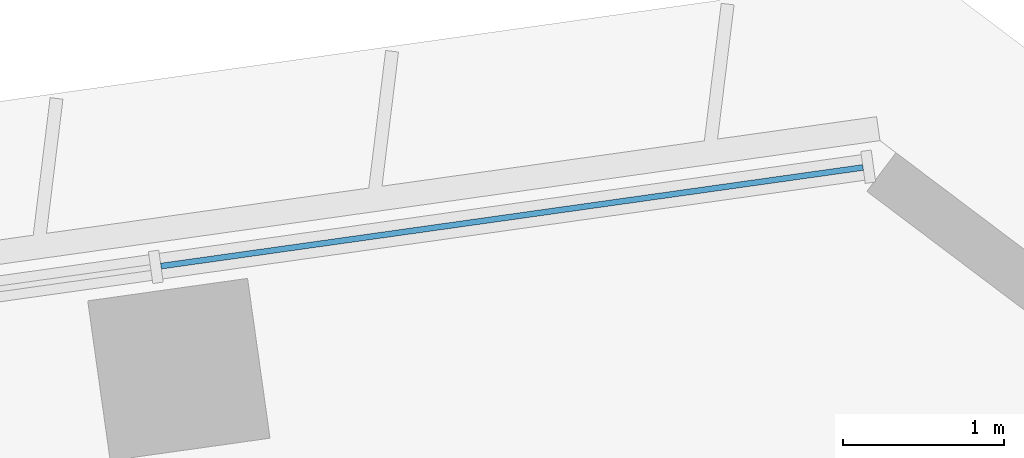
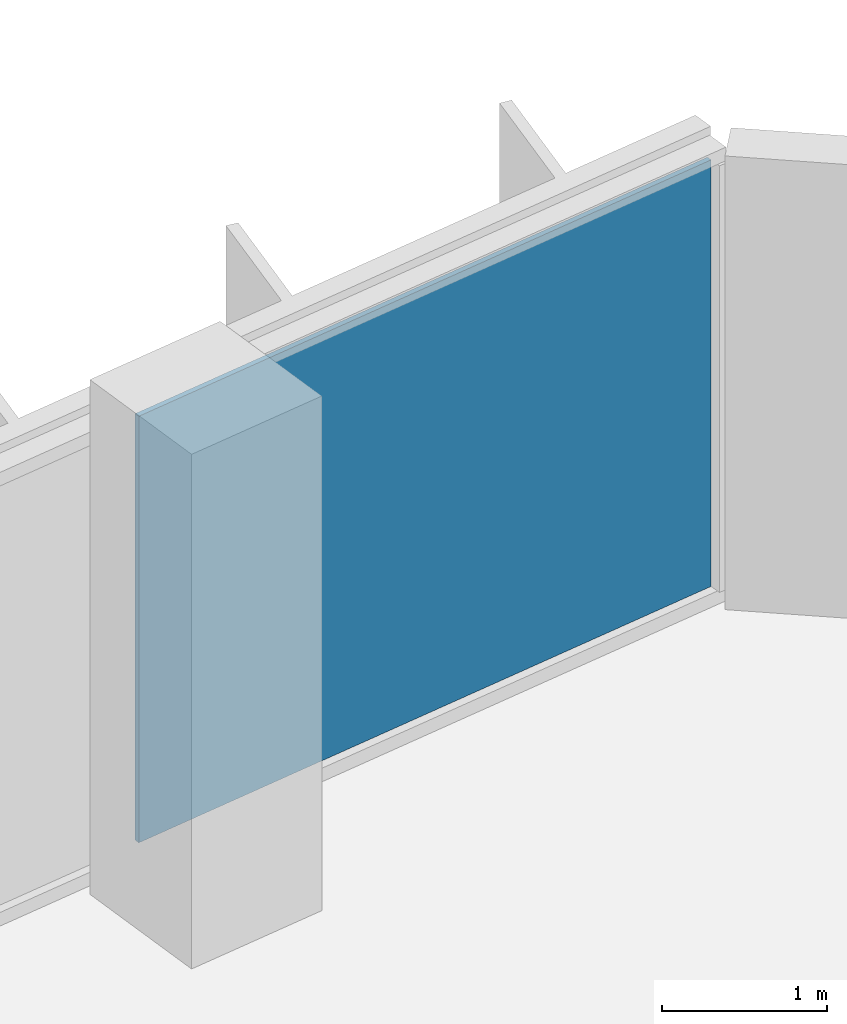
# One storey, part 13 of 25: 1 plate, 1 element without a shape of its own.
"""IFC4 building model written with IfcOpenShell, lengths in metres."""

from ifc_helpers import new_model, si_unit, direction, frame, origin, origin_2d, place, context, subcontext, project, spatial, rectangle, extrude, material, layer, layer_set, type_object, element, aggregate, save


model = new_model("IFC4")

# Units and contexts
model_context = context("Model", 3, precision=1e-05, world=origin(), true_north=direction((0.0, 1.0)))
body_context = subcontext(model_context, "Body", "Model", "MODEL_VIEW")
ifc_project = project(units=[si_unit("LENGTHUNIT", "METRE"), si_unit("AREAUNIT", "SQUARE_METRE"), si_unit("VOLUMEUNIT", "CUBIC_METRE"), si_unit("PLANEANGLEUNIT", "RADIAN"), si_unit("MASSUNIT", "GRAM", prefix="KILO")], contexts=[model_context])

# Site, building, storey
site_placement = place(None, origin())
site = spatial("IfcSite", under=ifc_project, at=site_placement, CompositionType="ELEMENT")
building_placement = place(site_placement, origin())
building = spatial("IfcBuilding", under=site, at=building_placement, Name="Mirante Cascada Hotel Towers", CompositionType="ELEMENT")
storey_placement = place(building_placement, frame((0.0, 0.0, 62.3)))
storey = spatial("IfcBuildingStorey", under=building, at=storey_placement, Name="L12", CompositionType="ELEMENT", Elevation=62.3)

# Curtain wall, plate
ifc_material_1 = material(Name="Aluminium mullion and transom frame with clear laminated glass", Category="aluminium")
curtain_wall_type = type_object("IfcCurtainWallType", Name="Ribbon curtain wall ECW1", PredefinedType="NOTDEFINED", material=ifc_material_1)
curtain_wall_placement = place(storey_placement, origin())
curtain_wall = element("IfcCurtainWall", 1, at=curtain_wall_placement, inside=storey, type_object=curtain_wall_type, Name="Front ribbon wall T2 L12", PredefinedType="NOTDEFINED")
ifc_material_2 = material(Name="Clear laminated glass", Category="glass")
ifc_layer = layer(ifc_material_2, 0.036)
ifc_layer_set = layer_set([ifc_layer], Name="ECW1 glass panel 36")
plate_type = type_object("IfcPlateType", Name="ECW1 glass panel 36", PredefinedType="CURTAIN_PANEL", material=ifc_layer_set)
plate_placement = place(storey_placement, frame((91.9184, 25.7373, 0.1), z_axis=(0.0, 0.0, 1.0), x_axis=(-0.9902681, -0.1391731, 0.0)))
plate = element("IfcPlate", 2, at=plate_placement, type_object=plate_type, Name="ECW1 panel 1", PredefinedType="CURTAIN_PANEL", context=body_context, shape_type="SweptSolid", body=[
    extrude(rectangle(XDim=4.3936, YDim=0.036, at=origin_2d()), origin(), (0.0, 0.0, 1.0), 3.15),
])
aggregate(curtain_wall, [plate])

save(model, "model.ifc")
